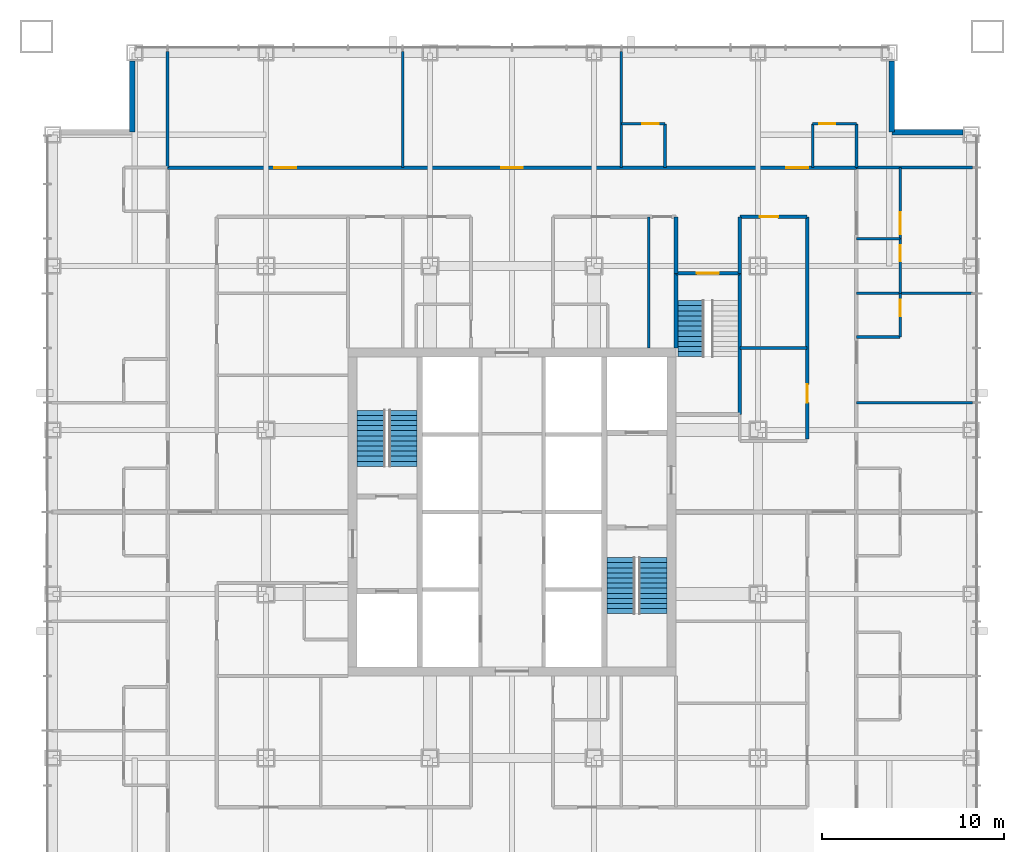
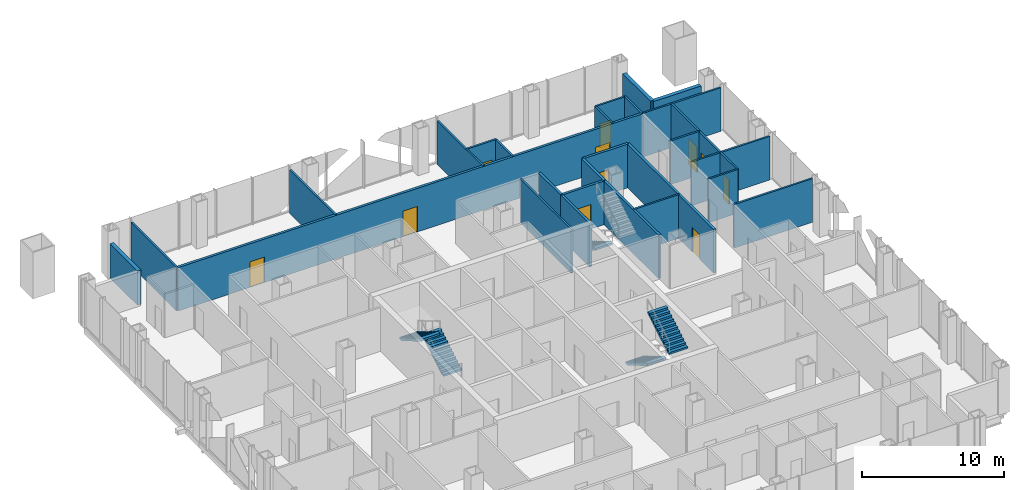
# One storey, part 11 of 13: 29 walls, 11 doors, 5 stair flights, 11 openings, 3 elements without a shape of their own.
"""IFC4 building model written with IfcOpenShell, lengths in metres."""

from ifc_helpers import new_model, si_unit, direction, frame, frame_2d, origin, place, context, subcontext, project, spatial, polyline, rectangle, outline, extrude, material, layer, layer_set, type_object, element, fill, aggregate, save


model = new_model("IFC4")

# Units and contexts
model_context = context("Model", 3, precision=1e-05, world=origin(), true_north=direction((0.0, 1.0)))
body_context = subcontext(model_context, "Body", "Model", "MODEL_VIEW")
ifc_project = project(units=[si_unit("LENGTHUNIT", "METRE"), si_unit("AREAUNIT", "SQUARE_METRE"), si_unit("VOLUMEUNIT", "CUBIC_METRE"), si_unit("PLANEANGLEUNIT", "RADIAN"), si_unit("MASSUNIT", "GRAM", prefix="KILO")], contexts=[model_context])

# Site, building, storey
site_placement = place(None, origin())
site = spatial("IfcSite", under=ifc_project, at=site_placement, CompositionType="ELEMENT")
building_placement = place(site_placement, origin())
building = spatial("IfcBuilding", under=site, at=building_placement, Name="Malebo Sky Hospital", CompositionType="ELEMENT")
storey_placement = place(building_placement, frame((0.0, 0.0, 75.0)))
storey = spatial("IfcBuildingStorey", under=building, at=storey_placement, Name="L17", CompositionType="ELEMENT", Elevation=75.0)

# Wall, openings, doors
ifc_material_1 = material(Name="Gypsum board on steel studs", Category="steel")
ifc_layer_1 = layer(ifc_material_1, 0.199951171875)
ifc_layer_set_1 = layer_set([ifc_layer_1], Name="CORRIDOR WALL 200")
wall_type_1 = type_object("IfcWallType", Name="CORRIDOR WALL 200", PredefinedType="PARTITIONING", material=ifc_layer_set_1)
wall_1_placement = place(storey_placement, frame((41.10009765625, 80.89990234375, 0.0), z_axis=(0.0, 0.0, 1.0), x_axis=(1.0, 0.0, 0.0)))
wall_1 = element("IfcWall", 1, at=wall_1_placement, inside=storey, type_object=wall_type_1, Name="Corridor Wall 200 NCO", PredefinedType="PARTITIONING", context=body_context, shape_type="SweptSolid", body=[
    extrude(rectangle(XDim=37.7998046875, YDim=0.199951171875, at=frame_2d((18.89990234375, 0.0))), origin(), (0.0, 0.0, 1.0), 3.75),
])
opening_1_placement = place(wall_1_placement, frame((5.85009765625, 0.0, 0.0)))
opening_1 = element("IfcOpeningElement", 2, at=opening_1_placement, cuts=wall_1, Name="Opening D01", PredefinedType="OPENING", context=body_context, shape_type="SweptSolid", body=[
    extrude(rectangle(XDim=1.199951171875, YDim=2.199951171875, at=frame_2d((0.60009765625, 1.10009765625))), frame((0.0, 0.10986328125, 0.0), z_axis=(0.0, -1.0, 0.0), x_axis=(1.0, 0.0, 0.0)), (0.0, 0.0, 1.0), 0.219970703125),
])
opening_2_placement = place(wall_1_placement, frame((18.300048828125, 0.0, 0.0)))
opening_2 = element("IfcOpeningElement", 3, at=opening_2_placement, cuts=wall_1, Name="Opening D01", PredefinedType="OPENING", context=body_context, shape_type="SweptSolid", body=[
    extrude(rectangle(XDim=1.199951171875, YDim=2.199951171875, at=frame_2d((0.60009765625, 1.10009765625))), frame((0.0, 0.10986328125, 0.0), z_axis=(0.0, -1.0, 0.0), x_axis=(1.0, 0.0, 0.0)), (0.0, 0.0, 1.0), 0.219970703125),
])
opening_3_placement = place(wall_1_placement, frame((33.949951171875, 0.0, 0.0)))
opening_3 = element("IfcOpeningElement", 4, at=opening_3_placement, cuts=wall_1, Name="Opening D01", PredefinedType="OPENING", context=body_context, shape_type="SweptSolid", body=[
    extrude(rectangle(XDim=1.199951171875, YDim=2.199951171875, at=frame_2d((0.60009765625, 1.10009765625))), frame((0.0, 0.10986328125, 0.0), z_axis=(0.0, -1.0, 0.0), x_axis=(1.0, 0.0, 0.0)), (0.0, 0.0, 1.0), 0.219970703125),
])
ifc_material_2 = material(Name="Hardwood-faced door leaf in steel frame", Category="steel")
door_type_1 = type_object("IfcDoorType", Name="BED DOOR 1200", OperationType="SINGLE_SWING_LEFT", PredefinedType="DOOR", material=ifc_material_2)
door_1_placement = place(opening_1_placement, origin())
door_1 = element("IfcDoor", 5, at=door_1_placement, inside=storey, type_object=door_type_1, Name="Dining room door", OperationType="SINGLE_SWING_LEFT", OverallHeight=2.199951171875, OverallWidth=1.199951171875, PredefinedType="DOOR", context=body_context, shape_type="SweptSolid", body=[
    extrude(rectangle(XDim=1.199951171875, YDim=2.199951171875, at=frame_2d((0.60009765625, 1.10009765625))), frame((0.0, 0.02490234375, 0.0), z_axis=(0.0, -1.0, 0.0), x_axis=(1.0, 0.0, 0.0)), (0.0, 0.0, 1.0), 0.050048828125),
])
fill(opening_1, door_1)
door_2_placement = place(opening_2_placement, origin())
door_2 = element("IfcDoor", 6, at=door_2_placement, inside=storey, type_object=door_type_1, Name="Therapy gym door", OperationType="SINGLE_SWING_LEFT", OverallHeight=2.199951171875, OverallWidth=1.199951171875, PredefinedType="DOOR", context=body_context, shape_type="SweptSolid", body=[
    extrude(rectangle(XDim=1.199951171875, YDim=2.199951171875, at=frame_2d((0.60009765625, 1.10009765625))), frame((0.0, 0.02490234375, 0.0), z_axis=(0.0, -1.0, 0.0), x_axis=(1.0, 0.0, 0.0)), (0.0, 0.0, 1.0), 0.050048828125),
])
fill(opening_2, door_2)
door_3_placement = place(opening_3_placement, origin())
door_3 = element("IfcDoor", 7, at=door_3_placement, inside=storey, type_object=door_type_1, Name="Four-bed bay door", OperationType="SINGLE_SWING_RIGHT", OverallHeight=2.199951171875, OverallWidth=1.199951171875, PredefinedType="DOOR", context=body_context, shape_type="SweptSolid", body=[
    extrude(rectangle(XDim=1.199951171875, YDim=2.199951171875, at=frame_2d((0.60009765625, 1.10009765625))), frame((0.0, 0.02490234375, 0.0), z_axis=(0.0, -1.0, 0.0), x_axis=(1.0, 0.0, 0.0)), (0.0, 0.0, 1.0), 0.050048828125),
])
fill(opening_3, door_3)

# Wall, opening, door
wall_2_placement = place(storey_placement, frame((72.5, 78.199951171875, 0.0), z_axis=(0.0, 0.0, 1.0), x_axis=(1.0, 0.0, 0.0)))
wall_2 = element("IfcWall", 8, at=wall_2_placement, inside=storey, type_object=wall_type_1, Name="Corridor Wall 200 NCI2/2", PredefinedType="PARTITIONING", context=body_context, shape_type="SweptSolid", body=[
    extrude(rectangle(XDim=3.699951171875, YDim=0.199951171875, at=frame_2d((1.85009765625, 0.0))), origin(), (0.0, 0.0, 1.0), 3.75),
])
opening_4_placement = place(wall_2_placement, frame((1.10009765625, 0.0, 0.0)))
opening_4 = element("IfcOpeningElement", 9, at=opening_4_placement, cuts=wall_2, Name="Opening D03", PredefinedType="OPENING", context=body_context, shape_type="SweptSolid", body=[
    extrude(rectangle(XDim=1.0, YDim=2.10009765625, at=frame_2d((0.5, 1.050048828125))), frame((0.0, 0.10986328125, 0.0), z_axis=(0.0, -1.0, 0.0), x_axis=(1.0, 0.0, 0.0)), (0.0, 0.0, 1.0), 0.219970703125),
])
door_type_2 = type_object("IfcDoorType", Name="ROOM DOOR 1000", OperationType="SINGLE_SWING_LEFT", PredefinedType="DOOR", material=ifc_material_2)
door_4_placement = place(opening_4_placement, origin())
door_4 = element("IfcDoor", 10, at=door_4_placement, inside=storey, type_object=door_type_2, Name="Clean utility room door", OperationType="SINGLE_SWING_LEFT", OverallHeight=2.10009765625, OverallWidth=1.0, PredefinedType="DOOR", context=body_context, shape_type="SweptSolid", body=[
    extrude(rectangle(XDim=1.0, YDim=2.10009765625, at=frame_2d((0.5, 1.050048828125))), frame((0.0, 0.02490234375, 0.0), z_axis=(0.0, -1.0, 0.0), x_axis=(1.0, 0.0, 0.0)), (0.0, 0.0, 1.0), 0.050048828125),
])
fill(opening_4, door_4)

wall_3_placement = place(storey_placement, frame((76.199951171875, 78.199951171875, 0.0), z_axis=(0.0, 0.0, 1.0), x_axis=(0.0, -1.0, 0.0)))
wall_3 = element("IfcWall", 11, at=wall_3_placement, inside=storey, type_object=wall_type_1, Name="Corridor Wall 200 ECI1", PredefinedType="PARTITIONING", context=body_context, shape_type="SweptSolid", body=[
    extrude(rectangle(XDim=12.199951171875, YDim=0.199951171875, at=frame_2d((6.10009765625, 0.0))), origin(), (0.0, 0.0, 1.0), 3.75),
])
opening_5_placement = place(wall_3_placement, frame((9.199951171875, 0.0, 0.0)))
opening_5 = element("IfcOpeningElement", 12, at=opening_5_placement, cuts=wall_3, Name="Opening D03", PredefinedType="OPENING", context=body_context, shape_type="SweptSolid", body=[
    extrude(rectangle(XDim=1.0, YDim=2.10009765625, at=frame_2d((0.5, 1.050048828125))), frame((0.0, 0.10986328125, 0.0), z_axis=(0.0, -1.0, 0.0), x_axis=(1.0, 0.0, 0.0)), (0.0, 0.0, 1.0), 0.219970703125),
])
door_5_placement = place(opening_5_placement, origin())
door_5 = element("IfcDoor", 13, at=door_5_placement, inside=storey, type_object=door_type_2, Name="Interview room door", OperationType="SINGLE_SWING_LEFT", OverallHeight=2.10009765625, OverallWidth=1.0, PredefinedType="DOOR", context=body_context, shape_type="SweptSolid", body=[
    extrude(rectangle(XDim=1.0, YDim=2.10009765625, at=frame_2d((0.5, 1.050048828125))), frame((0.0, 0.02490234375, 0.0), z_axis=(0.0, -1.0, 0.0), x_axis=(1.0, 0.0, 0.0)), (0.0, 0.0, 1.0), 0.050048828125),
])
fill(opening_5, door_5)

# Walls
for number, where, z_axis, x_axis, name in (
    (14, (69.0, 75.10009765625, 0.0), (0.0, 0.0, 1.0), (0.0, 1.0, 0.0), "Corridor Wall 200 ST3AW"),
    (15, (72.5, 75.10009765625, 0.0), (0.0, 0.0, 1.0), (0.0, 1.0, 0.0), "Corridor Wall 200 ST3AE"),
):
    element("IfcWall", number, at=place(storey_placement, frame(where, z_axis=z_axis, x_axis=x_axis)), inside=storey, type_object=wall_type_1, Name=name, PredefinedType="PARTITIONING", context=body_context, shape_type="SweptSolid", body=[
        extrude(rectangle(XDim=3.099853515625, YDim=0.199951171875, at=frame_2d((1.5498046875, 0.0))), origin(), (0.0, 0.0, 1.0), 3.75),
    ])
ifc_material_3 = material(Name="Anodised aluminium rainscreen on steel framing", Category="steel")
ifc_layer_2 = layer(ifc_material_3, 0.300048828125)
ifc_layer_set_2 = layer_set([ifc_layer_2], Name="NOTCH RAINSCREEN WALL 300")
wall_type_2 = type_object("IfcWallType", Name="NOTCH RAINSCREEN WALL 300", PredefinedType="ELEMENTEDWALL", material=ifc_layer_set_2)
for number, where, z_axis, x_axis, name in (
    (16, (80.85009765625, 86.75, 0.0), (0.0, 0.0, 1.0), (0.0, -1.0, 0.0), "Notch rainscreen wall N1 L17"),
    (17, (80.85009765625, 82.85009765625, 0.0), (0.0, 0.0, 1.0), (1.0, 0.0, 0.0), "Notch rainscreen wall N2 L17"),
    (18, (39.14990234375, 82.85009765625, 0.0), (0.0, 0.0, 1.0), (0.0, 1.0, 0.0), "Notch rainscreen wall W2 L17"),
):
    element("IfcWall", number, at=place(storey_placement, frame(where, z_axis=z_axis, x_axis=x_axis)), inside=storey, type_object=wall_type_2, Name=name, PredefinedType="ELEMENTEDWALL", context=body_context, shape_type="SweptSolid", body=[
        extrude(rectangle(XDim=3.89990234375, YDim=0.300048828125, at=frame_2d((1.949951171875, 0.0))), origin(), (0.0, 0.0, 1.0), 2.949951171875),
    ])
ifc_layer_3 = layer(ifc_material_1, 0.14990234375)
ifc_layer_set_3 = layer_set([ifc_layer_3], Name="PARTITION 150")
wall_type_3 = type_object("IfcWallType", Name="PARTITION 150", PredefinedType="PARTITIONING", material=ifc_layer_set_3)
for number, where, z_axis, x_axis, name in (
    (19, (54.0, 80.89990234375, 0.0), (0.0, 0.0, 1.0), (0.0, 1.0, 0.0), "Partition 150 NP-6.0"),
    (20, (66.0, 80.89990234375, 0.0), (0.0, 0.0, 1.0), (0.0, 1.0, 0.0), "Partition 150 NP+6.0"),
    (21, (41.10009765625, 80.89990234375, 0.0), (0.0, 0.0, 1.0), (0.0, 1.0, 0.0), "Partition 150 NP0"),
):
    element("IfcWall", number, at=place(storey_placement, frame(where, z_axis=z_axis, x_axis=x_axis)), inside=storey, type_object=wall_type_3, Name=name, PredefinedType="PARTITIONING", context=body_context, shape_type="SweptSolid", body=[
        extrude(rectangle(XDim=6.375, YDim=0.14990234375, at=frame_2d((3.1875, 0.0))), origin(), (0.0, 0.0, 1.0), 3.75),
    ])

# Wall, opening, door
wall_4_placement = place(storey_placement, frame((76.5, 83.300048828125, 0.0), z_axis=(0.0, 0.0, 1.0), x_axis=(1.0, 0.0, 0.0)))
wall_4 = element("IfcWall", 22, at=wall_4_placement, inside=storey, type_object=wall_type_3, Name="Partition 150 NE2F", PredefinedType="PARTITIONING", context=body_context, shape_type="SweptSolid", body=[
    extrude(rectangle(XDim=2.39990234375, YDim=0.14990234375, at=frame_2d((1.199951171875, 0.0))), origin(), (0.0, 0.0, 1.0), 3.75),
])
opening_6_placement = place(wall_4_placement, frame((0.35009765625, 0.0, 0.0)))
opening_6 = element("IfcOpeningElement", 23, at=opening_6_placement, cuts=wall_4, Name="Opening D02", PredefinedType="OPENING", context=body_context, shape_type="SweptSolid", body=[
    extrude(rectangle(XDim=0.89990234375, YDim=2.10009765625, at=frame_2d((0.449951171875, 1.050048828125))), frame((0.0, 0.0849609375, 0.0), z_axis=(0.0, -1.0, 0.0), x_axis=(1.0, 0.0, 0.0)), (0.0, 0.0, 1.0), 0.169921875),
])
door_type_3 = type_object("IfcDoorType", Name="EN-SUITE DOOR 900", OperationType="SINGLE_SWING_LEFT", PredefinedType="DOOR", material=ifc_material_2)
door_6_placement = place(opening_6_placement, origin())
door_6 = element("IfcDoor", 24, at=door_6_placement, inside=storey, type_object=door_type_3, Name="En-suite door", OperationType="SINGLE_SWING_LEFT", OverallHeight=2.10009765625, OverallWidth=0.89990234375, PredefinedType="DOOR", context=body_context, shape_type="SweptSolid", body=[
    extrude(rectangle(XDim=0.89990234375, YDim=2.10009765625, at=frame_2d((0.449951171875, 1.050048828125))), frame((0.0, 0.02490234375, 0.0), z_axis=(0.0, -1.0, 0.0), x_axis=(1.0, 0.0, 0.0)), (0.0, 0.0, 1.0), 0.050048828125),
])
fill(opening_6, door_6)

# Wall
wall_5_placement = place(storey_placement, frame((76.5, 80.89990234375, 0.0), z_axis=(0.0, 0.0, 1.0), x_axis=(0.0, 1.0, 0.0)))
element("IfcWall", 25, at=wall_5_placement, inside=storey, type_object=wall_type_3, Name="Partition 150 NE2S", PredefinedType="PARTITIONING", context=body_context, shape_type="SweptSolid", body=[
    extrude(rectangle(XDim=2.400146484375, YDim=0.14990234375, at=frame_2d((1.2001953125, 0.0))), origin(), (0.0, 0.0, 1.0), 3.75),
])

# Wall, opening, door
wall_6_placement = place(storey_placement, frame((66.0, 83.300048828125, 0.0), z_axis=(0.0, 0.0, 1.0), x_axis=(1.0, 0.0, 0.0)))
wall_6 = element("IfcWall", 26, at=wall_6_placement, inside=storey, type_object=wall_type_3, Name="Partition 150 NG2F", PredefinedType="PARTITIONING", context=body_context, shape_type="SweptSolid", body=[
    extrude(rectangle(XDim=2.39990234375, YDim=0.14990234375, at=frame_2d((1.199951171875, 0.0))), origin(), (0.0, 0.0, 1.0), 3.75),
])
opening_7_placement = place(wall_6_placement, frame((1.14990234375, 0.0, 0.0)))
opening_7 = element("IfcOpeningElement", 27, at=opening_7_placement, cuts=wall_6, Name="Opening D02", PredefinedType="OPENING", context=body_context, shape_type="SweptSolid", body=[
    extrude(rectangle(XDim=0.89990234375, YDim=2.10009765625, at=frame_2d((0.449951171875, 1.050048828125))), frame((0.0, 0.0849609375, 0.0), z_axis=(0.0, -1.0, 0.0), x_axis=(1.0, 0.0, 0.0)), (0.0, 0.0, 1.0), 0.169921875),
])
door_7_placement = place(opening_7_placement, origin())
door_7 = element("IfcDoor", 28, at=door_7_placement, inside=storey, type_object=door_type_3, Name="En-suite door", OperationType="SINGLE_SWING_RIGHT", OverallHeight=2.10009765625, OverallWidth=0.89990234375, PredefinedType="DOOR", context=body_context, shape_type="SweptSolid", body=[
    extrude(rectangle(XDim=0.89990234375, YDim=2.10009765625, at=frame_2d((0.449951171875, 1.050048828125))), frame((0.0, 0.02490234375, 0.0), z_axis=(0.0, -1.0, 0.0), x_axis=(1.0, 0.0, 0.0)), (0.0, 0.0, 1.0), 0.050048828125),
])
fill(opening_7, door_7)

# Walls
for number, where, z_axis, x_axis, name in (
    (29, (68.39990234375, 80.89990234375, 0.0), (0.0, 0.0, 1.0), (0.0, 1.0, 0.0), "Partition 150 NG2S"),
    (30, (78.89990234375, 80.89990234375, 0.0), (0.0, 0.0, 1.0), (0.0, 1.0, 0.0), "Partition 150 NEZ"),
):
    element("IfcWall", number, at=place(storey_placement, frame(where, z_axis=z_axis, x_axis=x_axis)), inside=storey, type_object=wall_type_3, Name=name, PredefinedType="PARTITIONING", context=body_context, shape_type="SweptSolid", body=[
        extrude(rectangle(XDim=2.400146484375, YDim=0.14990234375, at=frame_2d((1.2001953125, 0.0))), origin(), (0.0, 0.0, 1.0), 3.75),
    ])
wall_7_placement = place(storey_placement, frame((67.5, 71.0, 0.0), z_axis=(0.0, 0.0, 1.0), x_axis=(0.0, 1.0, 0.0)))
element("IfcWall", 31, at=wall_7_placement, inside=storey, type_object=wall_type_3, Name="Partition 150 NSP+7.5", PredefinedType="PARTITIONING", context=body_context, shape_type="SweptSolid", body=[
    extrude(rectangle(XDim=7.199951171875, YDim=0.14990234375, at=frame_2d((3.60009765625, 0.0))), origin(), (0.0, 0.0, 1.0), 3.75),
])
for number, where, z_axis, x_axis, name in (
    (32, (78.89990234375, 74.0, 0.0), (0.0, 0.0, 1.0), (1.0, 0.0, 0.0), "Partition 150 EP-12.0"),
    (33, (78.89990234375, 68.0, 0.0), (0.0, 0.0, 1.0), (1.0, 0.0, 0.0), "Partition 150 EP-6.0"),
    (34, (78.89990234375, 80.89990234375, 0.0), (0.0, 0.0, 1.0), (1.0, 0.0, 0.0), "Partition 150 EP0"),
):
    element("IfcWall", number, at=place(storey_placement, frame(where, z_axis=z_axis, x_axis=x_axis)), inside=storey, type_object=wall_type_3, Name=name, PredefinedType="PARTITIONING", context=body_context, shape_type="SweptSolid", body=[
        extrude(rectangle(XDim=6.375, YDim=0.14990234375, at=frame_2d((3.1875, 0.0))), origin(), (0.0, 0.0, 1.0), 3.75),
    ])

# Wall, opening, door
wall_8_placement = place(storey_placement, frame((81.300048828125, 77.0, 0.0), z_axis=(0.0, 0.0, 1.0), x_axis=(0.0, -1.0, 0.0)))
wall_8 = element("IfcWall", 35, at=wall_8_placement, inside=storey, type_object=wall_type_3, Name="Partition 150 EE0F", PredefinedType="PARTITIONING", context=body_context, shape_type="SweptSolid", body=[
    extrude(rectangle(XDim=3.0, YDim=0.14990234375, at=frame_2d((1.5, 0.0))), origin(), (0.0, 0.0, 1.0), 3.75),
])
opening_8_placement = place(wall_8_placement, frame((0.35009765625, 0.0, 0.0)))
opening_8 = element("IfcOpeningElement", 36, at=opening_8_placement, cuts=wall_8, Name="Opening D02", PredefinedType="OPENING", context=body_context, shape_type="SweptSolid", body=[
    extrude(rectangle(XDim=0.89990234375, YDim=2.10009765625, at=frame_2d((0.449951171875, 1.050048828125))), frame((0.0, 0.0849609375, 0.0), z_axis=(0.0, -1.0, 0.0), x_axis=(1.0, 0.0, 0.0)), (0.0, 0.0, 1.0), 0.169921875),
])
door_8_placement = place(opening_8_placement, origin())
door_8 = element("IfcDoor", 37, at=door_8_placement, inside=storey, type_object=door_type_3, Name="En-suite door", OperationType="SINGLE_SWING_LEFT", OverallHeight=2.10009765625, OverallWidth=0.89990234375, PredefinedType="DOOR", context=body_context, shape_type="SweptSolid", body=[
    extrude(rectangle(XDim=0.89990234375, YDim=2.10009765625, at=frame_2d((0.449951171875, 1.050048828125))), frame((0.0, 0.02490234375, 0.0), z_axis=(0.0, -1.0, 0.0), x_axis=(1.0, 0.0, 0.0)), (0.0, 0.0, 1.0), 0.050048828125),
])
fill(opening_8, door_8)

# Wall
wall_9_placement = place(storey_placement, frame((78.89990234375, 77.0, 0.0), z_axis=(0.0, 0.0, 1.0), x_axis=(1.0, 0.0, 0.0)))
element("IfcWall", 38, at=wall_9_placement, inside=storey, type_object=wall_type_3, Name="Partition 150 EE0S", PredefinedType="PARTITIONING", context=body_context, shape_type="SweptSolid", body=[
    extrude(rectangle(XDim=2.400146484375, YDim=0.14990234375, at=frame_2d((1.2001953125, 0.0))), origin(), (0.0, 0.0, 1.0), 3.75),
])

# Wall, opening, door
wall_10_placement = place(storey_placement, frame((81.300048828125, 74.0, 0.0), z_axis=(0.0, 0.0, 1.0), x_axis=(0.0, -1.0, 0.0)))
wall_10 = element("IfcWall", 39, at=wall_10_placement, inside=storey, type_object=wall_type_3, Name="Partition 150 EE1F", PredefinedType="PARTITIONING", context=body_context, shape_type="SweptSolid", body=[
    extrude(rectangle(XDim=2.39990234375, YDim=0.14990234375, at=frame_2d((1.199951171875, 0.0))), origin(), (0.0, 0.0, 1.0), 3.75),
])
opening_9_placement = place(wall_10_placement, frame((0.35009765625, 0.0, 0.0)))
opening_9 = element("IfcOpeningElement", 40, at=opening_9_placement, cuts=wall_10, Name="Opening D02", PredefinedType="OPENING", context=body_context, shape_type="SweptSolid", body=[
    extrude(rectangle(XDim=0.89990234375, YDim=2.10009765625, at=frame_2d((0.449951171875, 1.050048828125))), frame((0.0, 0.0849609375, 0.0), z_axis=(0.0, -1.0, 0.0), x_axis=(1.0, 0.0, 0.0)), (0.0, 0.0, 1.0), 0.169921875),
])
door_9_placement = place(opening_9_placement, origin())
door_9 = element("IfcDoor", 41, at=door_9_placement, inside=storey, type_object=door_type_3, Name="En-suite door", OperationType="SINGLE_SWING_LEFT", OverallHeight=2.10009765625, OverallWidth=0.89990234375, PredefinedType="DOOR", context=body_context, shape_type="SweptSolid", body=[
    extrude(rectangle(XDim=0.89990234375, YDim=2.10009765625, at=frame_2d((0.449951171875, 1.050048828125))), frame((0.0, 0.02490234375, 0.0), z_axis=(0.0, -1.0, 0.0), x_axis=(1.0, 0.0, 0.0)), (0.0, 0.0, 1.0), 0.050048828125),
])
fill(opening_9, door_9)

# Walls
wall_11_placement = place(storey_placement, frame((78.89990234375, 71.60009765625, 0.0), z_axis=(0.0, 0.0, 1.0), x_axis=(1.0, 0.0, 0.0)))
element("IfcWall", 42, at=wall_11_placement, inside=storey, type_object=wall_type_3, Name="Partition 150 EE1S", PredefinedType="PARTITIONING", context=body_context, shape_type="SweptSolid", body=[
    extrude(rectangle(XDim=2.400146484375, YDim=0.14990234375, at=frame_2d((1.2001953125, 0.0))), origin(), (0.0, 0.0, 1.0), 3.75),
])
wall_12_placement = place(storey_placement, frame((72.5, 71.0, 0.0), z_axis=(0.0, 0.0, 1.0), x_axis=(1.0, 0.0, 0.0)))
element("IfcWall", 43, at=wall_12_placement, inside=storey, type_object=wall_type_3, Name="Partition 150 ESP0", PredefinedType="PARTITIONING", context=body_context, shape_type="SweptSolid", body=[
    extrude(rectangle(XDim=3.699951171875, YDim=0.14990234375, at=frame_2d((1.85009765625, 0.0))), origin(), (0.0, 0.0, 1.0), 3.75),
])

# Wall, opening, door
ifc_material_4 = material(Name="Sealed gypsum board on steel studs, taped to the slab", Category="steel")
ifc_layer_4 = layer(ifc_material_4, 0.14990234375)
ifc_layer_set_4 = layer_set([ifc_layer_4], Name="SEALED ISOLATION PARTITION 150")
wall_type_4 = type_object("IfcWallType", Name="SEALED ISOLATION PARTITION 150", PredefinedType="PARTITIONING", material=ifc_layer_set_4)
wall_13_placement = place(storey_placement, frame((81.300048828125, 80.89990234375, 0.0), z_axis=(0.0, 0.0, 1.0), x_axis=(0.0, -1.0, 0.0)))
wall_13 = element("IfcWall", 44, at=wall_13_placement, inside=storey, type_object=wall_type_4, Name="Sealed Isolation Partition 150 EA0F", PredefinedType="PARTITIONING", context=body_context, shape_type="SweptSolid", body=[
    extrude(rectangle(XDim=3.89990234375, YDim=0.14990234375, at=frame_2d((1.949951171875, 0.0))), origin(), (0.0, 0.0, 1.0), 3.75),
])
opening_10_placement = place(wall_13_placement, frame((2.449951171875, 0.0, 0.0)))
opening_10 = element("IfcOpeningElement", 45, at=opening_10_placement, cuts=wall_13, Name="Opening D19", PredefinedType="OPENING", context=body_context, shape_type="SweptSolid", body=[
    extrude(rectangle(XDim=1.199951171875, YDim=2.199951171875, at=frame_2d((0.60009765625, 1.10009765625))), frame((0.0, 0.0849609375, 0.0), z_axis=(0.0, -1.0, 0.0), x_axis=(1.0, 0.0, 0.0)), (0.0, 0.0, 1.0), 0.169921875),
])
ifc_material_5 = material(Name="Hardwood-faced door leaf with perimeter seals in steel frame", Category="steel")
door_type_4 = type_object("IfcDoorType", Name="SEALED ISOLATION ROOM DOOR 1200", OperationType="SINGLE_SWING_LEFT", PredefinedType="DOOR", material=ifc_material_5)
door_10_placement = place(opening_10_placement, origin())
door_10 = element("IfcDoor", 46, at=door_10_placement, inside=storey, type_object=door_type_4, Name="Isolation room door", OperationType="SINGLE_SWING_RIGHT", OverallHeight=2.199951171875, OverallWidth=1.199951171875, PredefinedType="DOOR", context=body_context, shape_type="SweptSolid", body=[
    extrude(rectangle(XDim=1.199951171875, YDim=2.199951171875, at=frame_2d((0.60009765625, 1.10009765625))), frame((0.0, 0.02490234375, 0.0), z_axis=(0.0, -1.0, 0.0), x_axis=(1.0, 0.0, 0.0)), (0.0, 0.0, 1.0), 0.050048828125),
])
fill(opening_10, door_10)

# Walls
ifc_material_6 = material(Name="Concrete C40/50", Category="concrete")
ifc_layer_5 = layer(ifc_material_6, 0.199951171875)
ifc_layer_set_5 = layer_set([ifc_layer_5], Name="STAIR ENCLOSURE WALL 200")
wall_type_5 = type_object("IfcWallType", Name="STAIR ENCLOSURE WALL 200", PredefinedType="SOLIDWALL", material=ifc_layer_set_5)
wall_14_placement = place(storey_placement, frame((69.0, 71.0, 0.0), z_axis=(0.0, 0.0, 1.0), x_axis=(0.0, 1.0, 0.0)))
element("IfcWall", 47, at=wall_14_placement, inside=storey, type_object=wall_type_5, Name="Stair Enclosure Wall 200 ST3W", PredefinedType="SOLIDWALL", context=body_context, shape_type="SweptSolid", body=[
    extrude(rectangle(XDim=4.10009765625, YDim=0.199951171875, at=frame_2d((2.050048828125, 0.0))), origin(), (0.0, 0.0, 1.0), 3.75),
])
wall_15_placement = place(storey_placement, frame((72.5, 67.35009765625, 0.0), z_axis=(0.0, 0.0, 1.0), x_axis=(0.0, 1.0, 0.0)))
element("IfcWall", 48, at=wall_15_placement, inside=storey, type_object=wall_type_5, Name="Stair Enclosure Wall 200 ST3E", PredefinedType="SOLIDWALL", context=body_context, shape_type="SweptSolid", body=[
    extrude(rectangle(XDim=7.75, YDim=0.199951171875, at=frame_2d((3.875, 0.0))), origin(), (0.0, 0.0, 1.0), 3.75),
])

# Wall, opening, door
wall_16_placement = place(storey_placement, frame((69.0, 75.10009765625, 0.0), z_axis=(0.0, 0.0, 1.0), x_axis=(1.0, 0.0, 0.0)))
wall_16 = element("IfcWall", 49, at=wall_16_placement, inside=storey, type_object=wall_type_5, Name="Stair Enclosure Wall 200 ST3N", PredefinedType="SOLIDWALL", context=body_context, shape_type="SweptSolid", body=[
    extrude(rectangle(XDim=3.5, YDim=0.199951171875, at=frame_2d((1.75, 0.0))), origin(), (0.0, 0.0, 1.0), 3.75),
])
opening_11_placement = place(wall_16_placement, frame((1.14990234375, 0.0, 0.0)))
opening_11 = element("IfcOpeningElement", 50, at=opening_11_placement, cuts=wall_16, Name="Opening D08", PredefinedType="OPENING", context=body_context, shape_type="SweptSolid", body=[
    extrude(rectangle(XDim=1.199951171875, YDim=2.10009765625, at=frame_2d((0.60009765625, 1.050048828125))), frame((0.0, 0.10986328125, 0.0), z_axis=(0.0, -1.0, 0.0), x_axis=(1.0, 0.0, 0.0)), (0.0, 0.0, 1.0), 0.219970703125),
])
door_type_5 = type_object("IfcDoorType", Name="STAIR DOOR 1200", OperationType="SINGLE_SWING_LEFT", PredefinedType="DOOR", material=ifc_material_2)
door_11_placement = place(opening_11_placement, origin())
door_11 = element("IfcDoor", 51, at=door_11_placement, inside=storey, type_object=door_type_5, Name="Stair S3 door", OperationType="SINGLE_SWING_LEFT", OverallHeight=2.10009765625, OverallWidth=1.199951171875, PredefinedType="DOOR", context=body_context, shape_type="SweptSolid", body=[
    extrude(rectangle(XDim=1.199951171875, YDim=2.10009765625, at=frame_2d((0.60009765625, 1.050048828125))), frame((0.0, 0.02490234375, 0.0), z_axis=(0.0, -1.0, 0.0), x_axis=(1.0, 0.0, 0.0)), (0.0, 0.0, 1.0), 0.050048828125),
])
fill(opening_11, door_11)

# Stair, stair flight
stair_type_1 = type_object("IfcStairType", Name="HALF-TURN STAIR 1400 R167", PredefinedType="HALF_TURN_STAIR", material=ifc_material_6)
stair_1_placement = place(storey_placement, origin())
stair_1 = element("IfcStair", 52, at=stair_1_placement, inside=storey, type_object=stair_type_1, Name="Stair S3 L17 type ST1B", PredefinedType="HALF_TURN_STAIR")
stair_flight_type_1 = type_object("IfcStairFlightType", Name="STAIR FLIGHT 1400 R167", PredefinedType="STRAIGHT", material=ifc_material_6)
stair_flight_1_placement = place(storey_placement, frame((69.800048828125, 73.60009765625, 0.0), z_axis=(0.0, 0.0, 1.0), x_axis=(0.0, -1.0, 0.0)))
stair_flight_1 = element("IfcStairFlight", 53, at=stair_flight_1_placement, type_object=stair_flight_type_1, Name="S3 flight 1 type SF1B", NumberOfRisers=12, NumberOfTreads=11, PredefinedType="STRAIGHT", RiserHeight=0.166666667, TreadLength=0.28, context=body_context, shape_type="SweptSolid", body=[
    extrude(outline(polyline([(0.0, 0.0), (0.0, 0.166748046875), (0.280029296875, 0.166748046875), (0.280029296875, 0.333251953125), (0.56005859375, 0.333251953125), (0.56005859375, 0.5), (0.840087890625, 0.5), (0.840087890625, 0.666748046875), (1.1201171875, 0.666748046875), (1.1201171875, 0.833251953125), (1.39990234375, 0.833251953125), (1.39990234375, 1.0), (1.679931640625, 1.0), (1.679931640625, 1.166748046875), (1.9599609375, 1.166748046875), (1.9599609375, 1.333251953125), (2.239990234375, 1.333251953125), (2.239990234375, 1.5), (2.52001953125, 1.5), (2.52001953125, 1.666748046875), (2.800048828125, 1.666748046875), (2.800048828125, 1.833251953125), (3.080078125, 1.833251953125), (3.080078125, 2.0), (3.080078125, 1.658935546875), (0.29296875, 0.0), (0.0, 0.0)])), frame((0.0, 0.699951171875, 0.0), z_axis=(0.0, -1.0, 0.0), x_axis=(1.0, 0.0, 0.0)), (0.0, 0.0, 1.0), 1.39990234375),
])
aggregate(stair_1, [stair_flight_1])

# Stair, stair flights
stair_type_2 = type_object("IfcStairType", Name="HALF-TURN STAIR 1500 R167", PredefinedType="HALF_TURN_STAIR", material=ifc_material_6)
stair_2_placement = place(storey_placement, origin())
stair_2 = element("IfcStair", 54, at=stair_2_placement, inside=storey, type_object=stair_type_2, Name="Stair S1 L17 type ST1", PredefinedType="HALF_TURN_STAIR")
stair_flight_type_2 = type_object("IfcStairFlightType", Name="STAIR FLIGHT 1500 R167", PredefinedType="STRAIGHT", material=ifc_material_6)
stair_flight_2_placement = place(storey_placement, frame((54.050048828125, 64.5, 0.0), z_axis=(0.0, 0.0, 1.0), x_axis=(0.0, 1.0, 0.0)))
stair_flight_2 = element("IfcStairFlight", 55, at=stair_flight_2_placement, type_object=stair_flight_type_2, Name="S1 flight 1 type SF1", NumberOfRisers=12, NumberOfTreads=11, PredefinedType="STRAIGHT", RiserHeight=0.166666667, TreadLength=0.28, context=body_context, shape_type="SweptSolid", body=[
    extrude(outline(polyline([(0.0, 0.0), (0.0, 0.166748046875), (0.280029296875, 0.166748046875), (0.280029296875, 0.333251953125), (0.56005859375, 0.333251953125), (0.56005859375, 0.5), (0.840087890625, 0.5), (0.840087890625, 0.666748046875), (1.1201171875, 0.666748046875), (1.1201171875, 0.833251953125), (1.39990234375, 0.833251953125), (1.39990234375, 1.0), (1.679931640625, 1.0), (1.679931640625, 1.166748046875), (1.9599609375, 1.166748046875), (1.9599609375, 1.333251953125), (2.239990234375, 1.333251953125), (2.239990234375, 1.5), (2.52001953125, 1.5), (2.52001953125, 1.666748046875), (2.800048828125, 1.666748046875), (2.800048828125, 1.833251953125), (3.080078125, 1.833251953125), (3.080078125, 2.0), (3.080078125, 1.658935546875), (0.29296875, 0.0), (0.0, 0.0)])), frame((0.0, 0.75, 0.0), z_axis=(0.0, -1.0, 0.0), x_axis=(1.0, 0.0, 0.0)), (0.0, 0.0, 1.0), 1.5),
])
stair_flight_3_placement = place(storey_placement, frame((52.25, 67.580078125, 2.0), z_axis=(0.0, 0.0, 1.0), x_axis=(0.0, -1.0, 0.0)))
stair_flight_3 = element("IfcStairFlight", 56, at=stair_flight_3_placement, type_object=stair_flight_type_2, Name="S1 flight 2 type SF1", NumberOfRisers=12, NumberOfTreads=11, PredefinedType="STRAIGHT", RiserHeight=0.166666667, TreadLength=0.28, context=body_context, shape_type="SweptSolid", body=[
    extrude(outline(polyline([(0.0, 0.0), (0.0, 0.166748046875), (0.280029296875, 0.166748046875), (0.280029296875, 0.333251953125), (0.56005859375, 0.333251953125), (0.56005859375, 0.5), (0.840087890625, 0.5), (0.840087890625, 0.666748046875), (1.1201171875, 0.666748046875), (1.1201171875, 0.833251953125), (1.39990234375, 0.833251953125), (1.39990234375, 1.0), (1.679931640625, 1.0), (1.679931640625, 1.166748046875), (1.9599609375, 1.166748046875), (1.9599609375, 1.333251953125), (2.239990234375, 1.333251953125), (2.239990234375, 1.5), (2.52001953125, 1.5), (2.52001953125, 1.666748046875), (2.800048828125, 1.666748046875), (2.800048828125, 1.833251953125), (3.080078125, 1.833251953125), (3.080078125, 2.0), (3.080078125, 1.658935546875), (0.29296875, 0.0), (0.0, 0.0)])), frame((0.0, 0.75, 0.0), z_axis=(0.0, -1.0, 0.0), x_axis=(1.0, 0.0, 0.0)), (0.0, 0.0, 1.0), 1.5),
])
aggregate(stair_2, [stair_flight_2, stair_flight_3])

stair_3_placement = place(storey_placement, origin())
stair_3 = element("IfcStair", 57, at=stair_3_placement, inside=storey, type_object=stair_type_2, Name="Stair S2 L17 type ST1", PredefinedType="HALF_TURN_STAIR")
stair_flight_4_placement = place(storey_placement, frame((65.949951171875, 59.5, 0.0), z_axis=(0.0, 0.0, 1.0), x_axis=(0.0, -1.0, 0.0)))
stair_flight_4 = element("IfcStairFlight", 58, at=stair_flight_4_placement, type_object=stair_flight_type_2, Name="S2 flight 1 type SF1", NumberOfRisers=12, NumberOfTreads=11, PredefinedType="STRAIGHT", RiserHeight=0.166666667, TreadLength=0.28, context=body_context, shape_type="SweptSolid", body=[
    extrude(outline(polyline([(0.0, 0.0), (0.0, 0.166748046875), (0.280029296875, 0.166748046875), (0.280029296875, 0.333251953125), (0.56005859375, 0.333251953125), (0.56005859375, 0.5), (0.840087890625, 0.5), (0.840087890625, 0.666748046875), (1.1201171875, 0.666748046875), (1.1201171875, 0.833251953125), (1.39990234375, 0.833251953125), (1.39990234375, 1.0), (1.679931640625, 1.0), (1.679931640625, 1.166748046875), (1.9599609375, 1.166748046875), (1.9599609375, 1.333251953125), (2.239990234375, 1.333251953125), (2.239990234375, 1.5), (2.52001953125, 1.5), (2.52001953125, 1.666748046875), (2.800048828125, 1.666748046875), (2.800048828125, 1.833251953125), (3.080078125, 1.833251953125), (3.080078125, 2.0), (3.080078125, 1.658935546875), (0.29296875, 0.0), (0.0, 0.0)])), frame((0.0, 0.75, 0.0), z_axis=(0.0, -1.0, 0.0), x_axis=(1.0, 0.0, 0.0)), (0.0, 0.0, 1.0), 1.5),
])
stair_flight_5_placement = place(storey_placement, frame((67.75, 56.419921875, 2.0), z_axis=(0.0, 0.0, 1.0), x_axis=(0.0, 1.0, 0.0)))
stair_flight_5 = element("IfcStairFlight", 59, at=stair_flight_5_placement, type_object=stair_flight_type_2, Name="S2 flight 2 type SF1", NumberOfRisers=12, NumberOfTreads=11, PredefinedType="STRAIGHT", RiserHeight=0.166666667, TreadLength=0.28, context=body_context, shape_type="SweptSolid", body=[
    extrude(outline(polyline([(0.0, 0.0), (0.0, 0.166748046875), (0.280029296875, 0.166748046875), (0.280029296875, 0.333251953125), (0.56005859375, 0.333251953125), (0.56005859375, 0.5), (0.840087890625, 0.5), (0.840087890625, 0.666748046875), (1.1201171875, 0.666748046875), (1.1201171875, 0.833251953125), (1.39990234375, 0.833251953125), (1.39990234375, 1.0), (1.679931640625, 1.0), (1.679931640625, 1.166748046875), (1.9599609375, 1.166748046875), (1.9599609375, 1.333251953125), (2.239990234375, 1.333251953125), (2.239990234375, 1.5), (2.52001953125, 1.5), (2.52001953125, 1.666748046875), (2.800048828125, 1.666748046875), (2.800048828125, 1.833251953125), (3.080078125, 1.833251953125), (3.080078125, 2.0), (3.080078125, 1.658935546875), (0.29296875, 0.0), (0.0, 0.0)])), frame((0.0, 0.75, 0.0), z_axis=(0.0, -1.0, 0.0), x_axis=(1.0, 0.0, 0.0)), (0.0, 0.0, 1.0), 1.5),
])
aggregate(stair_3, [stair_flight_4, stair_flight_5])

save(model, "model.ifc")
